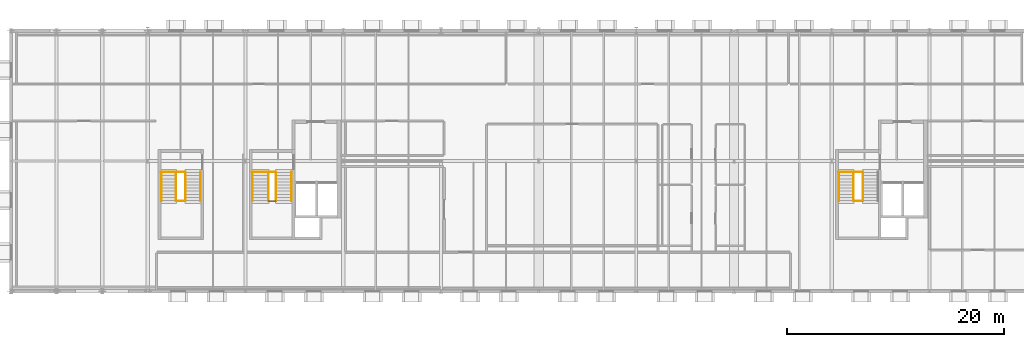
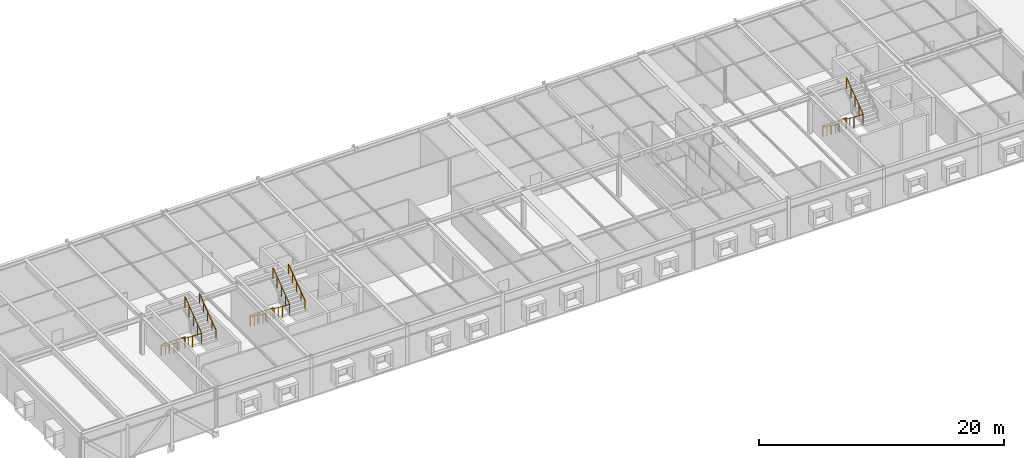
# One storey, part 16 of 17: 17 railings.
"""IFC4 building model written with IfcOpenShell, lengths in metres."""

from ifc_helpers import new_model, si_unit, direction, frame, origin, origin_2d, place, context, subcontext, project, spatial, circle, extrude, material, type_object, element, save


model = new_model("IFC4")

# Units and contexts
model_context = context("Model", 3, precision=1e-05, world=origin(), true_north=direction((0.0, 1.0)))
body_context = subcontext(model_context, "Body", "Model", "MODEL_VIEW")
ifc_project = project(units=[si_unit("LENGTHUNIT", "METRE"), si_unit("AREAUNIT", "SQUARE_METRE"), si_unit("VOLUMEUNIT", "CUBIC_METRE"), si_unit("PLANEANGLEUNIT", "RADIAN"), si_unit("MASSUNIT", "GRAM", prefix="KILO")], contexts=[model_context])

# Site, building, storey
site_placement = place(None, origin())
site = spatial("IfcSite", under=ifc_project, at=site_placement, CompositionType="ELEMENT")
building_placement = place(site_placement, origin())
building = spatial("IfcBuilding", under=site, at=building_placement, Name="Montelvaro Courts of Justice", CompositionType="ELEMENT")
storey_placement = place(building_placement, frame((0.0, 0.0, 27.39990234375)))
storey = spatial("IfcBuildingStorey", under=building, at=storey_placement, Name="L06", CompositionType="ELEMENT", Elevation=27.39990234375)

# Railings
ifc_material_1 = material(Name="Steel S355", Category="steel")
railing_type_1 = type_object("IfcRailingType", Name="InteriorGuard_1100", PredefinedType="BALUSTRADE", material=ifc_material_1)
railing_1_placement = place(storey_placement, frame((54.60009765625, 11.0, 0.0)))
element("IfcRailing", 1, at=railing_1_placement, inside=storey, type_object=railing_type_1, Name="Stair Well Guard GR-02 ST-K1-L05-TLG", PredefinedType="BALUSTRADE", context=body_context, shape_type="SweptSolid", body=[
    extrude(circle(Radius=0.02392578125, at=origin_2d()), frame((0.0, 0.0, 1.076171875), z_axis=(1.0, 0.0, 0.0), x_axis=(0.0, 1.0, 0.0)), (0.0, 0.0, 1.0), 2.18994140625),
    extrude(circle(Radius=0.02099609375, at=origin_2d()), origin(), (0.0, 0.0, 1.0), 1.052001953125),
    extrude(circle(Radius=0.02099609375, at=origin_2d()), frame((0.72998046875, 0.0, 0.0)), (0.0, 0.0, 1.0), 1.052001953125),
    extrude(circle(Radius=0.02099609375, at=origin_2d()), frame((1.4599609375, 0.0, 0.0)), (0.0, 0.0, 1.0), 1.052001953125),
    extrude(circle(Radius=0.02099609375, at=origin_2d()), frame((2.18994140625, 0.0, 0.0)), (0.0, 0.0, 1.0), 1.052001953125),
])
railing_2_placement = place(storey_placement, frame((56.110107421875, 11.0, 0.0)))
element("IfcRailing", 2, at=railing_2_placement, inside=storey, type_object=railing_type_1, Name="Stair Well Guard GR-02 ST-K1-L06-F1G", PredefinedType="BALUSTRADE", context=body_context, shape_type="SweptSolid", body=[
    extrude(circle(Radius=0.02392578125, at=origin_2d()), frame((0.0, 0.0, 1.076171875), z_axis=(0.0, -0.803036263579, 0.595930163171), x_axis=(1.0, 0.0, 0.0)), (0.0, 0.0, 1.0), 3.356201171875),
    extrude(circle(Radius=0.02099609375, at=origin_2d()), origin(), (0.0, 0.0, 1.0), 1.052001953125),
    extrude(circle(Radius=0.02099609375, at=origin_2d()), frame((0.0, -0.673828125, 0.5)), (0.0, 0.0, 1.0), 1.052001953125),
    extrude(circle(Radius=0.02099609375, at=origin_2d()), frame((0.0, -1.34765625, 1.0)), (0.0, 0.0, 1.0), 1.052001953125),
    extrude(circle(Radius=0.02099609375, at=origin_2d()), frame((0.0, -2.021240234375, 1.5)), (0.0, 0.0, 1.0), 1.052001953125),
    extrude(circle(Radius=0.02099609375, at=origin_2d()), frame((0.0, -2.695068359375, 2.0)), (0.0, 0.0, 1.0), 1.052001953125),
])
railing_3_placement = place(storey_placement, frame((56.7900390625, 8.304931640625, 2.0)))
element("IfcRailing", 3, at=railing_3_placement, inside=storey, type_object=railing_type_1, Name="Stair Well Guard GR-02 ST-K1-L06-F2G", PredefinedType="BALUSTRADE", context=body_context, shape_type="SweptSolid", body=[
    extrude(circle(Radius=0.02392578125, at=origin_2d()), frame((0.0, 0.0, 1.076171875), z_axis=(0.0, 0.803036263579, 0.595930163171), x_axis=(-1.0, 0.0, 0.0)), (0.0, 0.0, 1.0), 3.356201171875),
    extrude(circle(Radius=0.02099609375, at=origin_2d()), origin(), (0.0, 0.0, 1.0), 1.052001953125),
    extrude(circle(Radius=0.02099609375, at=origin_2d()), frame((0.0, 0.673828125, 0.5)), (0.0, 0.0, 1.0), 1.052001953125),
    extrude(circle(Radius=0.02099609375, at=origin_2d()), frame((0.0, 1.34765625, 1.0)), (0.0, 0.0, 1.0), 1.052001953125),
    extrude(circle(Radius=0.02099609375, at=origin_2d()), frame((0.0, 2.021240234375, 1.5)), (0.0, 0.0, 1.0), 1.052001953125),
    extrude(circle(Radius=0.02099609375, at=origin_2d()), frame((0.0, 2.695068359375, 2.0)), (0.0, 0.0, 1.0), 1.052001953125),
])
railing_4_placement = place(storey_placement, frame((56.110107421875, 8.304931640625, 2.0)))
element("IfcRailing", 4, at=railing_4_placement, inside=storey, type_object=railing_type_1, Name="Stair Well Guard GR-02 ST-K1-L06-MLG", PredefinedType="BALUSTRADE", context=body_context, shape_type="SweptSolid", body=[
    extrude(circle(Radius=0.02392578125, at=origin_2d()), frame((0.0, 0.0, 1.076171875), z_axis=(1.0, 0.0, 0.0), x_axis=(0.0, 1.0, 0.0)), (0.0, 0.0, 1.0), 0.679931640625),
    extrude(circle(Radius=0.02099609375, at=origin_2d()), origin(), (0.0, 0.0, 1.0), 1.052001953125),
    extrude(circle(Radius=0.02099609375, at=origin_2d()), frame((0.679931640625, 0.0, 0.0)), (0.0, 0.0, 1.0), 1.052001953125),
])
railing_5_placement = place(storey_placement, frame((108.60009765625, 11.0, 0.0)))
element("IfcRailing", 5, at=railing_5_placement, inside=storey, type_object=railing_type_1, Name="Stair Well Guard GR-02 ST-K2-L05-TLG", PredefinedType="BALUSTRADE", context=body_context, shape_type="SweptSolid", body=[
    extrude(circle(Radius=0.02392578125, at=origin_2d()), frame((0.0, 0.0, 1.076171875), z_axis=(1.0, 0.0, 0.0), x_axis=(0.0, 1.0, 0.0)), (0.0, 0.0, 1.0), 2.289794921875),
    extrude(circle(Radius=0.02099609375, at=origin_2d()), origin(), (0.0, 0.0, 1.0), 1.052001953125),
    extrude(circle(Radius=0.02099609375, at=origin_2d()), frame((0.76318359375, 0.0, 0.0)), (0.0, 0.0, 1.0), 1.052001953125),
    extrude(circle(Radius=0.02099609375, at=origin_2d()), frame((1.526611328125, 0.0, 0.0)), (0.0, 0.0, 1.0), 1.052001953125),
    extrude(circle(Radius=0.02099609375, at=origin_2d()), frame((2.289794921875, 0.0, 0.0)), (0.0, 0.0, 1.0), 1.052001953125),
])
railing_6_placement = place(storey_placement, frame((110.010009765625, 11.0, 0.0)))
element("IfcRailing", 6, at=railing_6_placement, inside=storey, type_object=railing_type_1, Name="Stair Well Guard GR-02 ST-K2-L06-F1G", PredefinedType="BALUSTRADE", context=body_context, shape_type="SweptSolid", body=[
    extrude(circle(Radius=0.02392578125, at=origin_2d()), frame((0.0, 0.0, 1.076171875), z_axis=(0.0, -0.803036263579, 0.595930163171), x_axis=(1.0, 0.0, 0.0)), (0.0, 0.0, 1.0), 3.356201171875),
    extrude(circle(Radius=0.02099609375, at=origin_2d()), origin(), (0.0, 0.0, 1.0), 1.052001953125),
    extrude(circle(Radius=0.02099609375, at=origin_2d()), frame((0.0, -0.673828125, 0.5)), (0.0, 0.0, 1.0), 1.052001953125),
    extrude(circle(Radius=0.02099609375, at=origin_2d()), frame((0.0, -1.34765625, 1.0)), (0.0, 0.0, 1.0), 1.052001953125),
    extrude(circle(Radius=0.02099609375, at=origin_2d()), frame((0.0, -2.021240234375, 1.5)), (0.0, 0.0, 1.0), 1.052001953125),
    extrude(circle(Radius=0.02099609375, at=origin_2d()), frame((0.0, -2.695068359375, 2.0)), (0.0, 0.0, 1.0), 1.052001953125),
])
railing_7_placement = place(storey_placement, frame((110.889892578125, 8.304931640625, 2.0)))
element("IfcRailing", 7, at=railing_7_placement, inside=storey, type_object=railing_type_1, Name="Stair Well Guard GR-02 ST-K2-L06-F2G", PredefinedType="BALUSTRADE", context=body_context, shape_type="SweptSolid", body=[
    extrude(circle(Radius=0.02392578125, at=origin_2d()), frame((0.0, 0.0, 1.076171875), z_axis=(0.0, 0.803036263579, 0.595930163171), x_axis=(-1.0, 0.0, 0.0)), (0.0, 0.0, 1.0), 3.356201171875),
    extrude(circle(Radius=0.02099609375, at=origin_2d()), origin(), (0.0, 0.0, 1.0), 1.052001953125),
    extrude(circle(Radius=0.02099609375, at=origin_2d()), frame((0.0, 0.673828125, 0.5)), (0.0, 0.0, 1.0), 1.052001953125),
    extrude(circle(Radius=0.02099609375, at=origin_2d()), frame((0.0, 1.34765625, 1.0)), (0.0, 0.0, 1.0), 1.052001953125),
    extrude(circle(Radius=0.02099609375, at=origin_2d()), frame((0.0, 2.021240234375, 1.5)), (0.0, 0.0, 1.0), 1.052001953125),
    extrude(circle(Radius=0.02099609375, at=origin_2d()), frame((0.0, 2.695068359375, 2.0)), (0.0, 0.0, 1.0), 1.052001953125),
])
railing_8_placement = place(storey_placement, frame((110.010009765625, 8.304931640625, 2.0)))
element("IfcRailing", 8, at=railing_8_placement, inside=storey, type_object=railing_type_1, Name="Stair Well Guard GR-02 ST-K2-L06-MLG", PredefinedType="BALUSTRADE", context=body_context, shape_type="SweptSolid", body=[
    extrude(circle(Radius=0.02392578125, at=origin_2d()), frame((0.0, 0.0, 1.076171875), z_axis=(1.0, 0.0, 0.0), x_axis=(0.0, 1.0, 0.0)), (0.0, 0.0, 1.0), 0.8798828125),
    extrude(circle(Radius=0.02099609375, at=origin_2d()), origin(), (0.0, 0.0, 1.0), 1.052001953125),
    extrude(circle(Radius=0.02099609375, at=origin_2d()), frame((0.8798828125, 0.0, 0.0)), (0.0, 0.0, 1.0), 1.052001953125),
])
railing_9_placement = place(storey_placement, frame((46.199951171875, 11.0, 0.0)))
element("IfcRailing", 9, at=railing_9_placement, inside=storey, type_object=railing_type_1, Name="Stair Well Guard GR-02 ST-E1-L05-TLG", PredefinedType="BALUSTRADE", context=body_context, shape_type="SweptSolid", body=[
    extrude(circle(Radius=0.02392578125, at=origin_2d()), frame((0.0, 0.0, 1.076171875), z_axis=(1.0, 0.0, 0.0), x_axis=(0.0, 1.0, 0.0)), (0.0, 0.0, 1.0), 2.2900390625),
    extrude(circle(Radius=0.02099609375, at=origin_2d()), origin(), (0.0, 0.0, 1.0), 1.052001953125),
    extrude(circle(Radius=0.02099609375, at=origin_2d()), frame((0.763427734375, 0.0, 0.0)), (0.0, 0.0, 1.0), 1.052001953125),
    extrude(circle(Radius=0.02099609375, at=origin_2d()), frame((1.526611328125, 0.0, 0.0)), (0.0, 0.0, 1.0), 1.052001953125),
    extrude(circle(Radius=0.02099609375, at=origin_2d()), frame((2.2900390625, 0.0, 0.0)), (0.0, 0.0, 1.0), 1.052001953125),
])
railing_10_placement = place(storey_placement, frame((47.610107421875, 11.0, 0.0)))
element("IfcRailing", 10, at=railing_10_placement, inside=storey, type_object=railing_type_1, Name="Stair Well Guard GR-02 ST-E1-L06-F1G", PredefinedType="BALUSTRADE", context=body_context, shape_type="SweptSolid", body=[
    extrude(circle(Radius=0.02392578125, at=origin_2d()), frame((0.0, 0.0, 1.076171875), z_axis=(0.0, -0.803036263579, 0.595930163171), x_axis=(1.0, 0.0, 0.0)), (0.0, 0.0, 1.0), 3.356201171875),
    extrude(circle(Radius=0.02099609375, at=origin_2d()), origin(), (0.0, 0.0, 1.0), 1.052001953125),
    extrude(circle(Radius=0.02099609375, at=origin_2d()), frame((0.0, -0.673828125, 0.5)), (0.0, 0.0, 1.0), 1.052001953125),
    extrude(circle(Radius=0.02099609375, at=origin_2d()), frame((0.0, -1.34765625, 1.0)), (0.0, 0.0, 1.0), 1.052001953125),
    extrude(circle(Radius=0.02099609375, at=origin_2d()), frame((0.0, -2.021240234375, 1.5)), (0.0, 0.0, 1.0), 1.052001953125),
    extrude(circle(Radius=0.02099609375, at=origin_2d()), frame((0.0, -2.695068359375, 2.0)), (0.0, 0.0, 1.0), 1.052001953125),
])
railing_11_placement = place(storey_placement, frame((48.489990234375, 8.304931640625, 2.0)))
element("IfcRailing", 11, at=railing_11_placement, inside=storey, type_object=railing_type_1, Name="Stair Well Guard GR-02 ST-E1-L06-F2G", PredefinedType="BALUSTRADE", context=body_context, shape_type="SweptSolid", body=[
    extrude(circle(Radius=0.02392578125, at=origin_2d()), frame((0.0, 0.0, 1.076171875), z_axis=(0.0, 0.803036263579, 0.595930163171), x_axis=(-1.0, 0.0, 0.0)), (0.0, 0.0, 1.0), 3.356201171875),
    extrude(circle(Radius=0.02099609375, at=origin_2d()), origin(), (0.0, 0.0, 1.0), 1.052001953125),
    extrude(circle(Radius=0.02099609375, at=origin_2d()), frame((0.0, 0.673828125, 0.5)), (0.0, 0.0, 1.0), 1.052001953125),
    extrude(circle(Radius=0.02099609375, at=origin_2d()), frame((0.0, 1.34765625, 1.0)), (0.0, 0.0, 1.0), 1.052001953125),
    extrude(circle(Radius=0.02099609375, at=origin_2d()), frame((0.0, 2.021240234375, 1.5)), (0.0, 0.0, 1.0), 1.052001953125),
    extrude(circle(Radius=0.02099609375, at=origin_2d()), frame((0.0, 2.695068359375, 2.0)), (0.0, 0.0, 1.0), 1.052001953125),
])
railing_12_placement = place(storey_placement, frame((47.610107421875, 8.304931640625, 2.0)))
element("IfcRailing", 12, at=railing_12_placement, inside=storey, type_object=railing_type_1, Name="Stair Well Guard GR-02 ST-E1-L06-MLG", PredefinedType="BALUSTRADE", context=body_context, shape_type="SweptSolid", body=[
    extrude(circle(Radius=0.02392578125, at=origin_2d()), frame((0.0, 0.0, 1.076171875), z_axis=(1.0, 0.0, 0.0), x_axis=(0.0, 1.0, 0.0)), (0.0, 0.0, 1.0), 0.8798828125),
    extrude(circle(Radius=0.02099609375, at=origin_2d()), origin(), (0.0, 0.0, 1.0), 1.052001953125),
    extrude(circle(Radius=0.02099609375, at=origin_2d()), frame((0.8798828125, 0.0, 0.0)), (0.0, 0.0, 1.0), 1.052001953125),
])
ifc_material_2 = material(Name="Austenitic stainless steel EN 1.4401", Category="steel")
railing_type_2 = type_object("IfcRailingType", Name="StairHandrail_950", PredefinedType="HANDRAIL", material=ifc_material_2)
railing_13_placement = place(storey_placement, frame((54.659912109375, 11.0, 0.0)))
element("IfcRailing", 13, at=railing_13_placement, inside=storey, type_object=railing_type_2, Name="Stair Pitch Handrail HR-01 ST-K1-L06-F1H", PredefinedType="HANDRAIL", context=body_context, shape_type="SweptSolid", body=[
    extrude(circle(Radius=0.02392578125, at=origin_2d()), frame((0.0, 0.0, 0.92578125), z_axis=(0.0, -0.803036263579, 0.595930163171), x_axis=(1.0, 0.0, 0.0)), (0.0, 0.0, 1.0), 3.356201171875),
    extrude(circle(Radius=0.02099609375, at=origin_2d()), origin(), (0.0, 0.0, 1.0), 0.90185546875),
    extrude(circle(Radius=0.02099609375, at=origin_2d()), frame((0.0, -0.673828125, 0.5)), (0.0, 0.0, 1.0), 0.90185546875),
    extrude(circle(Radius=0.02099609375, at=origin_2d()), frame((0.0, -1.34765625, 1.0)), (0.0, 0.0, 1.0), 0.90185546875),
    extrude(circle(Radius=0.02099609375, at=origin_2d()), frame((0.0, -2.021240234375, 1.5)), (0.0, 0.0, 1.0), 0.90185546875),
    extrude(circle(Radius=0.02099609375, at=origin_2d()), frame((0.0, -2.695068359375, 2.0)), (0.0, 0.0, 1.0), 0.90185546875),
])
railing_14_placement = place(storey_placement, frame((58.239990234375, 8.304931640625, 2.0)))
element("IfcRailing", 14, at=railing_14_placement, inside=storey, type_object=railing_type_2, Name="Stair Pitch Handrail HR-01 ST-K1-L06-F2H", PredefinedType="HANDRAIL", context=body_context, shape_type="SweptSolid", body=[
    extrude(circle(Radius=0.02392578125, at=origin_2d()), frame((0.0, 0.0, 0.92578125), z_axis=(0.0, 0.803036263579, 0.595930163171), x_axis=(-1.0, 0.0, 0.0)), (0.0, 0.0, 1.0), 3.356201171875),
    extrude(circle(Radius=0.02099609375, at=origin_2d()), origin(), (0.0, 0.0, 1.0), 0.90185546875),
    extrude(circle(Radius=0.02099609375, at=origin_2d()), frame((0.0, 0.673828125, 0.5)), (0.0, 0.0, 1.0), 0.90185546875),
    extrude(circle(Radius=0.02099609375, at=origin_2d()), frame((0.0, 1.34765625, 1.0)), (0.0, 0.0, 1.0), 0.90185546875),
    extrude(circle(Radius=0.02099609375, at=origin_2d()), frame((0.0, 2.021240234375, 1.5)), (0.0, 0.0, 1.0), 0.90185546875),
    extrude(circle(Radius=0.02099609375, at=origin_2d()), frame((0.0, 2.695068359375, 2.0)), (0.0, 0.0, 1.0), 0.90185546875),
])
for number, where, name in (
    (15, (108.659912109375, 11.0, 0.0), "Stair Pitch Handrail HR-01 ST-K2-L06-F1H"),
    (16, (46.260009765625, 11.0, 0.0), "Stair Pitch Handrail HR-01 ST-E1-L06-F1H"),
):
    element("IfcRailing", number, at=place(storey_placement, frame(where)), inside=storey, type_object=railing_type_2, Name=name, PredefinedType="HANDRAIL", context=body_context, shape_type="SweptSolid", body=[
        extrude(circle(Radius=0.02392578125, at=origin_2d()), frame((0.0, 0.0, 0.92578125), z_axis=(0.0, -0.803036263579, 0.595930163171), x_axis=(1.0, 0.0, 0.0)), (0.0, 0.0, 1.0), 3.356201171875),
        extrude(circle(Radius=0.02099609375, at=origin_2d()), origin(), (0.0, 0.0, 1.0), 0.90185546875),
        extrude(circle(Radius=0.02099609375, at=origin_2d()), frame((0.0, -0.673828125, 0.5)), (0.0, 0.0, 1.0), 0.90185546875),
        extrude(circle(Radius=0.02099609375, at=origin_2d()), frame((0.0, -1.34765625, 1.0)), (0.0, 0.0, 1.0), 0.90185546875),
        extrude(circle(Radius=0.02099609375, at=origin_2d()), frame((0.0, -2.021240234375, 1.5)), (0.0, 0.0, 1.0), 0.90185546875),
        extrude(circle(Radius=0.02099609375, at=origin_2d()), frame((0.0, -2.695068359375, 2.0)), (0.0, 0.0, 1.0), 0.90185546875),
    ])
railing_15_placement = place(storey_placement, frame((49.840087890625, 8.304931640625, 2.0)))
element("IfcRailing", 17, at=railing_15_placement, inside=storey, type_object=railing_type_2, Name="Stair Pitch Handrail HR-01 ST-E1-L06-F2H", PredefinedType="HANDRAIL", context=body_context, shape_type="SweptSolid", body=[
    extrude(circle(Radius=0.02392578125, at=origin_2d()), frame((0.0, 0.0, 0.92578125), z_axis=(0.0, 0.803036263579, 0.595930163171), x_axis=(-1.0, 0.0, 0.0)), (0.0, 0.0, 1.0), 3.356201171875),
    extrude(circle(Radius=0.02099609375, at=origin_2d()), origin(), (0.0, 0.0, 1.0), 0.90185546875),
    extrude(circle(Radius=0.02099609375, at=origin_2d()), frame((0.0, 0.673828125, 0.5)), (0.0, 0.0, 1.0), 0.90185546875),
    extrude(circle(Radius=0.02099609375, at=origin_2d()), frame((0.0, 1.34765625, 1.0)), (0.0, 0.0, 1.0), 0.90185546875),
    extrude(circle(Radius=0.02099609375, at=origin_2d()), frame((0.0, 2.021240234375, 1.5)), (0.0, 0.0, 1.0), 0.90185546875),
    extrude(circle(Radius=0.02099609375, at=origin_2d()), frame((0.0, 2.695068359375, 2.0)), (0.0, 0.0, 1.0), 0.90185546875),
])

save(model, "model.ifc")
